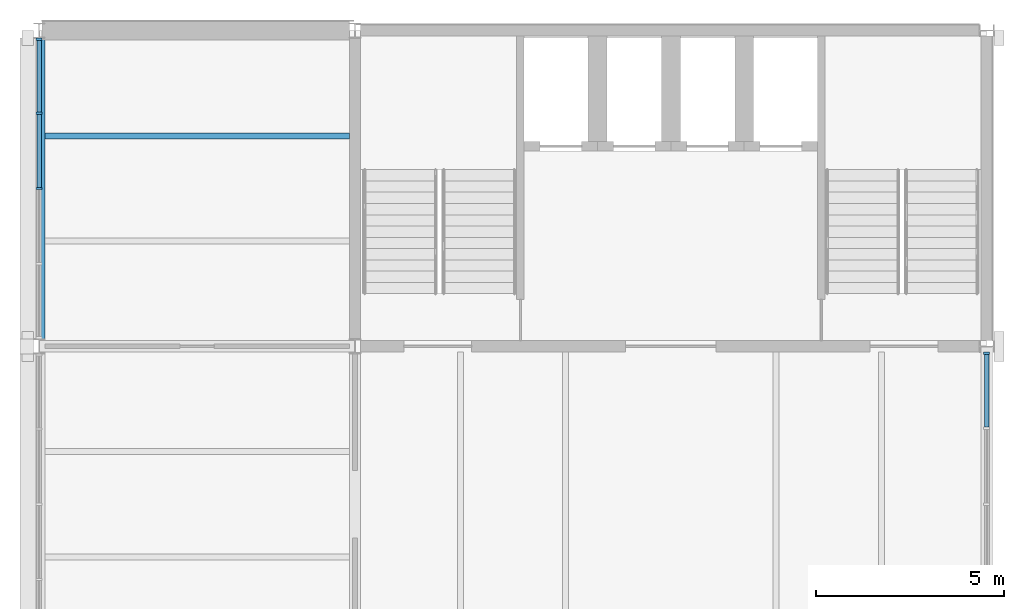
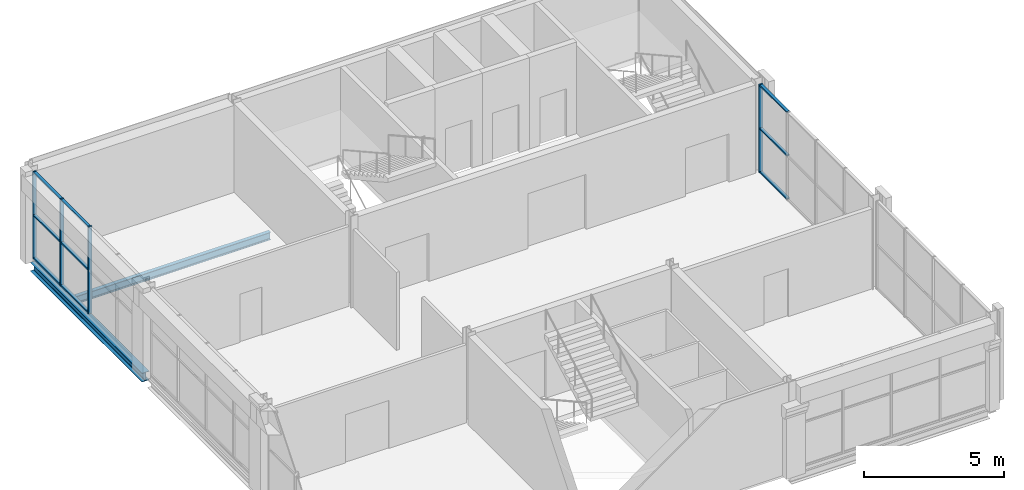
# One storey, part 4 of 8: 13 members, 2 beams, 2 elements without a shape of their own.
"""IFC4 building model written with IfcOpenShell, lengths in metres."""

import ifcopenshell
import ifcopenshell.guid

model = None  # the IFC model being written
_history = None  # IfcOwnerHistory: only IFC2X3 demands one
_inside = {}  # id of a spatial element -> (the spatial element, [elements in it])
_under = {}  # id of a project, library or spatial element -> (it, [spatial elements below it])
_declared = {}  # id of a project -> (the project, [libraries it declares])
_typed = {}  # id of a type object -> (the type object, [elements of that type])
_made_of = {}  # id of a material, layer set ... -> (it, [elements and type objects made of it])


def new_model(schema):
    """Start an empty IFC model of exactly this schema.

    Asked for "IFC4X3", IfcOpenShell would pick the latest addendum, in which some entities
    have other attributes; the version numbers below select the first issue.
    IFC2X3 requires an IfcOwnerHistory on every rooted entity: one is made here for all.
    """
    global model, _history
    if schema == "IFC4X3":
        model = ifcopenshell.file(schema_version=(4, 3, 0, 0))
    else:
        model = ifcopenshell.file(schema=schema)
    _inside.clear()
    _under.clear()
    _declared.clear()
    _typed.clear()
    _made_of.clear()
    _history = None
    if model.schema == "IFC2X3":
        org = make("IfcOrganization", Name="unknown")
        user = make(
            "IfcPersonAndOrganization",
            ThePerson=make("IfcPerson", FamilyName="unknown"),
            TheOrganization=org,
        )
        app = make(
            "IfcApplication",
            ApplicationDeveloper=org,
            Version="unknown",
            ApplicationFullName="unknown",
            ApplicationIdentifier="unknown",
        )
        _history = make(
            "IfcOwnerHistory",
            OwningUser=user,
            OwningApplication=app,
            ChangeAction="ADDED",
            CreationDate=0,
        )
    return model


def make(cls, **values):
    """One entity of the class cls with the attributes given. An attribute that is None is left unset."""
    return model.create_entity(
        cls, **{name: value for name, value in values.items() if value is not None}
    )


def rooted(cls, **values):
    """An entity with a GlobalId (a new one), such as an element, a storey or a relation."""
    return make(cls, GlobalId=ifcopenshell.guid.new(), OwnerHistory=_history, **values)


def si_unit(unit_type, name, prefix=None):
    """IfcSIUnit, for example si_unit("LENGTHUNIT", "METRE", prefix="MILLI")."""
    return make("IfcSIUnit", UnitType=unit_type, Prefix=prefix, Name=name)


def assignment(units):
    """IfcUnitAssignment: the units of a project."""
    return None if units is None else make("IfcUnitAssignment", Units=units)


def point(xyz):
    """IfcCartesianPoint."""
    return None if xyz is None else make("IfcCartesianPoint", Coordinates=xyz)


def direction(xyz):
    """IfcDirection."""
    return None if xyz is None else make("IfcDirection", DirectionRatios=xyz)


def frame(location, z_axis=None, x_axis=None):
    """IfcAxis2Placement3D, a coordinate frame: its origin and axes. An axis left out is left unset."""
    return make(
        "IfcAxis2Placement3D",
        Location=point(location),
        Axis=direction(z_axis),
        RefDirection=direction(x_axis),
    )


def frame_2d(location, x_axis=None):
    """IfcAxis2Placement2D, a coordinate frame in the plane: its origin and x axis."""
    return make(
        "IfcAxis2Placement2D", Location=point(location), RefDirection=direction(x_axis)
    )


def origin():
    """The frame at (0, 0, 0) with its axes left unset."""
    return frame((0.0, 0.0, 0.0))


def origin_2d():
    """The frame at (0, 0) in the plane with its x axis left unset."""
    return frame_2d((0.0, 0.0))


def place(relative_to, where):
    """IfcLocalPlacement: puts the frame where relative to a parent placement (None: the world)."""
    return make(
        "IfcLocalPlacement", PlacementRelTo=relative_to, RelativePlacement=where
    )


def context(
    kind, dimensions, precision=None, world=None, true_north=None, identifier=None
):
    """IfcGeometricRepresentationContext, for example the 3D "Model" context."""
    return make(
        "IfcGeometricRepresentationContext",
        ContextIdentifier=identifier,
        ContextType=kind,
        CoordinateSpaceDimension=dimensions,
        Precision=precision,
        WorldCoordinateSystem=world,
        TrueNorth=true_north,
    )


def subcontext(parent, identifier, kind, view, scale=None):
    """IfcGeometricRepresentationSubContext, for example "Body" below "Model"."""
    return make(
        "IfcGeometricRepresentationSubContext",
        ContextIdentifier=identifier,
        ContextType=kind,
        ParentContext=parent,
        TargetScale=scale,
        TargetView=view,
    )


def project(units=None, contexts=None):
    """IfcProject with its units and contexts."""
    return rooted(
        "IfcProject",
        Name="project",
        RepresentationContexts=contexts,
        UnitsInContext=assignment(units),
    )


def spatial(cls, under=None, at=None, **own):
    """A site, building, storey or space (cls), placed at a placement, below another one or the project."""
    s = rooted(cls, ObjectPlacement=at, **own)
    if under is not None:
        _under.setdefault(under.id(), (under, []))[1].append(s)
    return s


def profile(cls, at=None, kind="AREA", **sizes):
    """A parametric profile (cls). Its sizes go by their IFC names, for example OverallWidth=200.0."""
    return make(cls, ProfileType=kind, Position=at, **sizes)


def rectangle(**sizes):
    """IfcRectangleProfileDef."""
    return profile("IfcRectangleProfileDef", **sizes)


def i_section(**sizes):
    """IfcIShapeProfileDef."""
    return profile("IfcIShapeProfileDef", **sizes)


def extrude(swept, where, along, depth):
    """IfcExtrudedAreaSolid: the profile swept, set in the frame where, extruded along a direction by depth."""
    return make(
        "IfcExtrudedAreaSolid",
        SweptArea=swept,
        Position=where,
        ExtrudedDirection=direction(along),
        Depth=depth,
    )


def shape(context_of_items, identifier, shape_type, items):
    """IfcShapeRepresentation: the items that make up one representation, for example the "Body"."""
    return make(
        "IfcShapeRepresentation",
        ContextOfItems=context_of_items,
        RepresentationIdentifier=identifier,
        RepresentationType=shape_type,
        Items=items,
    )


def material(Name=None, Category=None):
    """IfcMaterial."""
    return make("IfcMaterial", Name=Name, Category=Category)


def layer(
    of_material, thickness, ventilated=None, Name=None, Category=None, Priority=None
):
    """IfcMaterialLayer: one layer of a wall or slab, of a material (None: an air gap)."""
    return make(
        "IfcMaterialLayer",
        Material=of_material,
        LayerThickness=thickness,
        IsVentilated=ventilated,
        Name=Name,
        Category=Category,
        Priority=Priority,
    )


def layer_set(layers, Name=None):
    """IfcMaterialLayerSet."""
    return make("IfcMaterialLayerSet", MaterialLayers=layers, LayerSetName=Name)


def material_profile(
    of_material, cross_section, Name=None, Category=None, Priority=None
):
    """IfcMaterialProfile: a cross section and its material."""
    return make(
        "IfcMaterialProfile",
        Name=Name,
        Material=of_material,
        Profile=cross_section,
        Priority=Priority,
        Category=Category,
    )


def profile_set(profiles, Name=None, composite=None):
    """IfcMaterialProfileSet."""
    return make(
        "IfcMaterialProfileSet",
        Name=Name,
        MaterialProfiles=profiles,
        CompositeProfile=composite,
    )


def made_of(thing, what):
    """Note that an element or type object is made of a material, layer set ...; save() writes the relation."""
    if what is not None:
        _made_of.setdefault(what.id(), (what, []))[1].append(thing)
    return thing


def type_object(cls, material=None, **own):
    """A type object (cls), such as IfcWallType, which elements share."""
    return made_of(rooted(cls, **own), material)


def element(
    cls,
    number,
    at=None,
    inside=None,
    cuts=None,
    type_object=None,
    material=None,
    context=None,
    identifier="Body",
    shape_type=None,
    held_by="IfcProductDefinitionShape",
    body=None,
    shapes=None,
    **own,
):
    """One element of the class cls, such as IfcWall. Its Tag is "e" and its number.

    at: its placement. inside: the storey or other place that contains it. cuts: it is an
    opening in that element (IfcRelVoidsElement). A single representation is given by context,
    identifier, shape_type and body (its items); several are given by shapes. held_by: the class
    of the entity that holds the representations. save() writes the other relations.
    """
    e = rooted(cls, Tag="e%d" % number, ObjectPlacement=at, **own)
    if body is not None:
        shapes = [shape(context, identifier, shape_type, body)]
    if shapes is not None:
        e.Representation = make(held_by, Representations=shapes)
    if inside is not None:
        _inside.setdefault(inside.id(), (inside, []))[1].append(e)
    if cuts is not None:
        rooted(
            "IfcRelVoidsElement", RelatingBuildingElement=cuts, RelatedOpeningElement=e
        )
    if type_object is not None:
        _typed.setdefault(type_object.id(), (type_object, []))[1].append(e)
    return made_of(e, material)


def aggregate(whole, parts):
    """IfcRelAggregates: a whole, such as a stair, and the parts it consists of."""
    return rooted("IfcRelAggregates", RelatingObject=whole, RelatedObjects=parts)


def save(model, path):
    """Write the relations noted so far, then the file.

    IfcRelAggregates (storeys below a building ...), IfcRelContainedInSpatialStructure (elements
    in a storey), IfcRelDefinesByType, IfcRelAssociatesMaterial and IfcRelDeclares: one each for
    every whole, place, type object, material and project.
    """
    for whole, parts in _under.values():
        aggregate(whole, parts)
    for where, things in _inside.values():
        rooted(
            "IfcRelContainedInSpatialStructure",
            RelatedElements=things,
            RelatingStructure=where,
        )
    for kind, things in _typed.values():
        rooted("IfcRelDefinesByType", RelatedObjects=things, RelatingType=kind)
    for what, things in _made_of.values():
        rooted("IfcRelAssociatesMaterial", RelatedObjects=things, RelatingMaterial=what)
    for by, libraries in _declared.values():
        rooted("IfcRelDeclares", RelatingContext=by, RelatedDefinitions=libraries)
    model.write(path)


model = new_model("IFC4")

# Units and contexts
model_context = context("Model", 3, precision=1e-05, world=origin(), true_north=direction((0.0, 1.0)))
body_context = subcontext(model_context, "Body", "Model", "MODEL_VIEW")
ifc_project = project(units=[si_unit("LENGTHUNIT", "METRE"), si_unit("AREAUNIT", "SQUARE_METRE"), si_unit("VOLUMEUNIT", "CUBIC_METRE"), si_unit("PLANEANGLEUNIT", "RADIAN"), si_unit("MASSUNIT", "GRAM", prefix="KILO")], contexts=[model_context])

# Site, building, storey
site_placement = place(None, origin())
site = spatial("IfcSite", under=ifc_project, at=site_placement, CompositionType="ELEMENT")
building_placement = place(site_placement, origin())
building = spatial("IfcBuilding", under=site, at=building_placement, Name="Galleria Vessillo Department Store", CompositionType="ELEMENT")
storey_placement = place(building_placement, frame((0.0, 0.0, 55.60009765625)))
storey = spatial("IfcBuildingStorey", under=building, at=storey_placement, Name="L12", CompositionType="ELEMENT", Elevation=55.60009765625)

# Curtain wall, members
ifc_material_1 = material(Name="Aluminium and glass curtain wall", Category="aluminium")
ifc_layer = layer(ifc_material_1, 0.159912109375)
ifc_layer_set = layer_set([ifc_layer], Name="Aluminium and glass curtain wall")
curtain_wall_type = type_object("IfcCurtainWallType", Name="Tower curtain wall CW4 2100 module", PredefinedType="NOTDEFINED", material=ifc_layer_set)
curtain_wall_1_placement = place(storey_placement, origin())
curtain_wall_1 = element("IfcCurtainWall", 1, at=curtain_wall_1_placement, inside=storey, type_object=curtain_wall_type, Name="Tower curtain wall CW4 2100 module TW-L12-03", PredefinedType="NOTDEFINED")
ifc_material_2 = material(Name="Aluminium alloy 6063 T6", Category="aluminium")
ifc_material_profile_1 = material_profile(ifc_material_2, rectangle(XDim=0.159912109375, YDim=0.06005859375, at=origin_2d()), Name="AL 60x160")
ifc_profile_set_1 = profile_set([ifc_material_profile_1], Name="Aluminium alloy 6063 T6")
member_type_1 = type_object("IfcMemberType", Name="Aluminium mullion 60 x 160", PredefinedType="MULLION", material=ifc_profile_set_1)
member_1_placement = place(storey_placement, frame((92.39990234375, 58.800048828125, 0.0), z_axis=(0.0, 0.0, 1.0), x_axis=(-1.0, 0.0, 0.0)))
member_1 = element("IfcMember", 2, at=member_1_placement, type_object=member_type_1, Name="CW4 mullion 3", PredefinedType="MULLION", context=body_context, shape_type="SweptSolid", body=[
    extrude(rectangle(XDim=0.159912109375, YDim=0.06005859375, at=origin_2d()), origin(), (0.0, 0.0, 1.0), 3.800048828125),
])
member_2_placement = place(storey_placement, frame((92.39990234375, 60.800048828125, 0.0), z_axis=(0.0, 0.0, 1.0), x_axis=(-1.0, 0.0, 0.0)))
member_2 = element("IfcMember", 3, at=member_2_placement, type_object=member_type_1, Name="CW4 mullion 4", PredefinedType="MULLION", context=body_context, shape_type="SweptSolid", body=[
    extrude(rectangle(XDim=0.159912109375, YDim=0.06005859375, at=origin_2d()), origin(), (0.0, 0.0, 1.0), 3.800048828125),
])
member_3_placement = place(storey_placement, frame((92.39990234375, 62.77001953125, 0.0), z_axis=(0.0, 0.0, 1.0), x_axis=(-1.0, 0.0, 0.0)))
member_3 = element("IfcMember", 4, at=member_3_placement, type_object=member_type_1, Name="CW4 mullion 5", PredefinedType="MULLION", context=body_context, shape_type="SweptSolid", body=[
    extrude(rectangle(XDim=0.159912109375, YDim=0.06005859375, at=origin_2d()), origin(), (0.0, 0.0, 1.0), 3.800048828125),
])

# Curtain wall, member
curtain_wall_2_placement = place(storey_placement, origin())
curtain_wall_2 = element("IfcCurtainWall", 5, at=curtain_wall_2_placement, inside=storey, type_object=curtain_wall_type, Name="Tower curtain wall CW4 2100 module TE-L12-02", PredefinedType="NOTDEFINED")
member_4_placement = place(storey_placement, frame((117.60009765625, 54.420166015625, 0.0), z_axis=(0.0, 0.0, 1.0), x_axis=(-1.0, 0.0, 0.0)))
member_4 = element("IfcMember", 6, at=member_4_placement, type_object=member_type_1, Name="CW4 mullion 5", PredefinedType="MULLION", context=body_context, shape_type="SweptSolid", body=[
    extrude(rectangle(XDim=0.159912109375, YDim=0.06005859375, at=origin_2d()), origin(), (0.0, 0.0, 1.0), 3.85009765625),
])

# Member
ifc_material_3 = material(Name="Aluminium alloy 6063 T6", Category="aluminium")
ifc_material_profile_2 = material_profile(ifc_material_3, rectangle(XDim=0.1201171875, YDim=0.06005859375, at=origin_2d()), Name="AL 60x120")
ifc_profile_set_2 = profile_set([ifc_material_profile_2], Name="Aluminium alloy 6063 T6")
member_type_2 = type_object("IfcMemberType", Name="Aluminium transom 60 x 120", PredefinedType="USERDEFINED", material=ifc_profile_set_2)
member_5_placement = place(storey_placement, frame((92.39990234375, 58.830078125, 0.030029296875), z_axis=(0.0, 1.0, 0.0), x_axis=(-1.0, 0.0, 0.0)))
member_5 = element("IfcMember", 7, at=member_5_placement, type_object=member_type_2, Name="CW4 transom 3.1", ObjectType="TRANSOM", PredefinedType="USERDEFINED", context=body_context, shape_type="SweptSolid", body=[
    extrude(rectangle(XDim=0.1201171875, YDim=0.06005859375, at=origin_2d()), origin(), (0.0, 0.0, 1.0), 1.93994140625),
])

member_6_placement = place(storey_placement, frame((92.39990234375, 58.830078125, 1.89990234375), z_axis=(0.0, 1.0, 0.0), x_axis=(-1.0, 0.0, 0.0)))
member_6 = element("IfcMember", 8, at=member_6_placement, type_object=member_type_2, Name="CW4 transom 3.2", ObjectType="TRANSOM", PredefinedType="USERDEFINED", context=body_context, shape_type="SweptSolid", body=[
    extrude(rectangle(XDim=0.1201171875, YDim=0.06005859375, at=origin_2d()), origin(), (0.0, 0.0, 1.0), 1.93994140625),
])

member_7_placement = place(storey_placement, frame((92.39990234375, 58.830078125, 3.77001953125), z_axis=(0.0, 1.0, 0.0), x_axis=(-1.0, 0.0, 0.0)))
member_7 = element("IfcMember", 9, at=member_7_placement, type_object=member_type_2, Name="CW4 transom 3.3", ObjectType="TRANSOM", PredefinedType="USERDEFINED", context=body_context, shape_type="SweptSolid", body=[
    extrude(rectangle(XDim=0.1201171875, YDim=0.06005859375, at=origin_2d()), origin(), (0.0, 0.0, 1.0), 1.93994140625),
])

member_8_placement = place(storey_placement, frame((92.39990234375, 60.830078125, 0.030029296875), z_axis=(0.0, 1.0, 0.0), x_axis=(-1.0, 0.0, 0.0)))
member_8 = element("IfcMember", 10, at=member_8_placement, type_object=member_type_2, Name="CW4 transom 4.1", ObjectType="TRANSOM", PredefinedType="USERDEFINED", context=body_context, shape_type="SweptSolid", body=[
    extrude(rectangle(XDim=0.1201171875, YDim=0.06005859375, at=origin_2d()), origin(), (0.0, 0.0, 1.0), 1.909912109375),
])

member_9_placement = place(storey_placement, frame((92.39990234375, 60.830078125, 1.89990234375), z_axis=(0.0, 1.0, 0.0), x_axis=(-1.0, 0.0, 0.0)))
member_9 = element("IfcMember", 11, at=member_9_placement, type_object=member_type_2, Name="CW4 transom 4.2", ObjectType="TRANSOM", PredefinedType="USERDEFINED", context=body_context, shape_type="SweptSolid", body=[
    extrude(rectangle(XDim=0.1201171875, YDim=0.06005859375, at=origin_2d()), origin(), (0.0, 0.0, 1.0), 1.909912109375),
])

member_10_placement = place(storey_placement, frame((92.39990234375, 60.830078125, 3.77001953125), z_axis=(0.0, 1.0, 0.0), x_axis=(-1.0, 0.0, 0.0)))
member_10 = element("IfcMember", 12, at=member_10_placement, type_object=member_type_2, Name="CW4 transom 4.3", ObjectType="TRANSOM", PredefinedType="USERDEFINED", context=body_context, shape_type="SweptSolid", body=[
    extrude(rectangle(XDim=0.1201171875, YDim=0.06005859375, at=origin_2d()), origin(), (0.0, 0.0, 1.0), 1.909912109375),
])

aggregate(curtain_wall_1, [member_1, member_2, member_3, member_5, member_6, member_7, member_8, member_9, member_10])

member_11_placement = place(storey_placement, frame((117.60009765625, 52.455078125, 0.030029296875), z_axis=(0.0, 1.0, 0.0), x_axis=(-1.0, 0.0, 0.0)))
member_11 = element("IfcMember", 13, at=member_11_placement, type_object=member_type_2, Name="CW4 transom 4.1", ObjectType="TRANSOM", PredefinedType="USERDEFINED", context=body_context, shape_type="SweptSolid", body=[
    extrude(rectangle(XDim=0.1201171875, YDim=0.06005859375, at=origin_2d()), origin(), (0.0, 0.0, 1.0), 1.93505859375),
])

member_12_placement = place(storey_placement, frame((117.60009765625, 52.455078125, 1.925048828125), z_axis=(0.0, 1.0, 0.0), x_axis=(-1.0, 0.0, 0.0)))
member_12 = element("IfcMember", 14, at=member_12_placement, type_object=member_type_2, Name="CW4 transom 4.2", ObjectType="TRANSOM", PredefinedType="USERDEFINED", context=body_context, shape_type="SweptSolid", body=[
    extrude(rectangle(XDim=0.1201171875, YDim=0.06005859375, at=origin_2d()), origin(), (0.0, 0.0, 1.0), 1.93505859375),
])

member_13_placement = place(storey_placement, frame((117.60009765625, 52.455078125, 3.820068359375), z_axis=(0.0, 1.0, 0.0), x_axis=(-1.0, 0.0, 0.0)))
member_13 = element("IfcMember", 15, at=member_13_placement, type_object=member_type_2, Name="CW4 transom 4.3", ObjectType="TRANSOM", PredefinedType="USERDEFINED", context=body_context, shape_type="SweptSolid", body=[
    extrude(rectangle(XDim=0.1201171875, YDim=0.06005859375, at=origin_2d()), origin(), (0.0, 0.0, 1.0), 1.93505859375),
])

aggregate(curtain_wall_2, [member_4, member_11, member_12, member_13])

# Beams
ifc_material_4 = material(Name="Steel S355 J2", Category="steel")
ifc_material_profile_3 = material_profile(ifc_material_4, i_section(OverallWidth=0.159912109375, OverallDepth=0.330078125, WebThickness=0.007568359375, FlangeThickness=0.011474609375, FilletRadius=0.01806640625, at=origin_2d()), Name="IPE 330")
ifc_profile_set_3 = profile_set([ifc_material_profile_3], Name="Steel S355 J2")
beam_type_1 = type_object("IfcBeamType", Name="Floor joist IPE 330", PredefinedType="JOIST", material=ifc_profile_set_3)
beam_1_placement = place(storey_placement, frame((92.550048828125, 60.199951171875, -0.31494140625), z_axis=(1.0, 0.0, 0.0), x_axis=(0.0, 1.0, 0.0)))
element("IfcBeam", 16, at=beam_1_placement, inside=storey, type_object=beam_type_1, Name="S-BM-L12-JO-x60200-92550", PredefinedType="JOIST", context=body_context, shape_type="SweptSolid", body=[
    extrude(i_section(OverallWidth=0.159912109375, OverallDepth=0.330078125, WebThickness=0.007568359375, FlangeThickness=0.011474609375, FilletRadius=0.01806640625, at=origin_2d()), origin(), (0.0, 0.0, 1.0), 8.099853515625),
])
ifc_material_5 = material(Name="Steel S355 J2", Category="steel")
ifc_material_profile_4 = material_profile(ifc_material_5, i_section(OverallWidth=0.300048828125, OverallDepth=0.389892578125, WebThickness=0.010986328125, FlangeThickness=0.01904296875, FilletRadius=0.027099609375, at=origin_2d()), Name="HEA 400")
ifc_profile_set_4 = profile_set([ifc_material_profile_4], Name="Steel S355 J2")
beam_type_2 = type_object("IfcBeamType", Name="Trimmer beam HEA 400", PredefinedType="BEAM", material=ifc_profile_set_4)
beam_2_placement = place(storey_placement, frame((92.39990234375, 54.800048828125, -0.344970703125), z_axis=(0.0, 1.0, 0.0), x_axis=(-1.0, 0.0, 0.0)))
element("IfcBeam", 17, at=beam_2_placement, inside=storey, type_object=beam_type_2, Name="S-BM-L12-TR-y92400-54800", PredefinedType="BEAM", context=body_context, shape_type="SweptSolid", body=[
    extrude(i_section(OverallWidth=0.300048828125, OverallDepth=0.389892578125, WebThickness=0.010986328125, FlangeThickness=0.01904296875, FilletRadius=0.027099609375, at=origin_2d()), origin(), (0.0, 0.0, 1.0), 7.999755859375),
])

save(model, "model.ifc")
